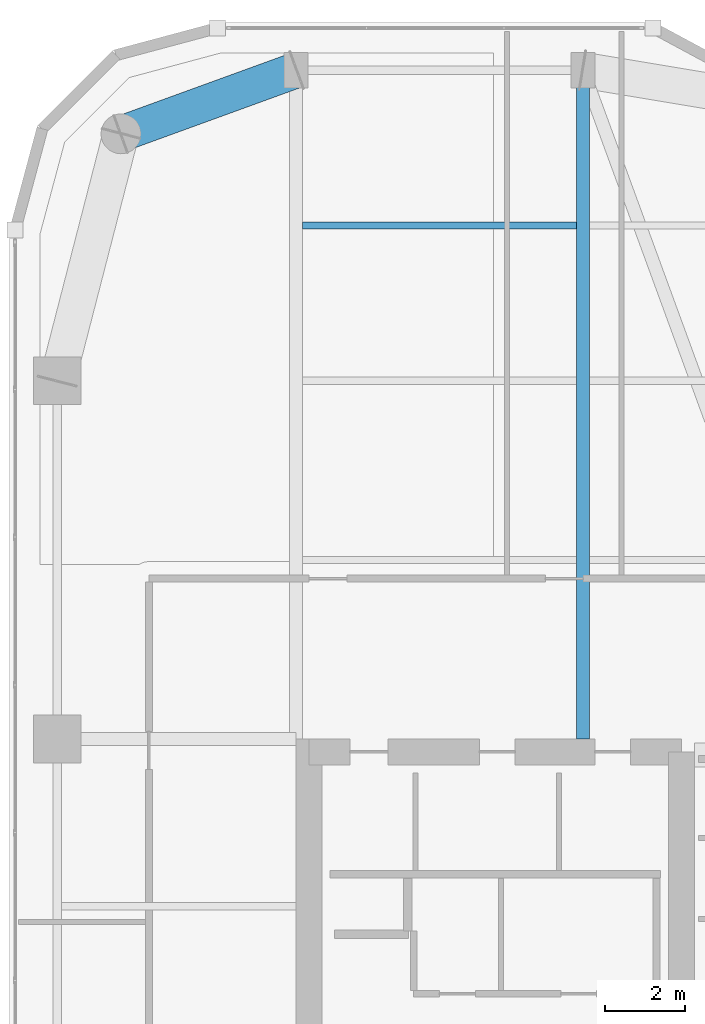
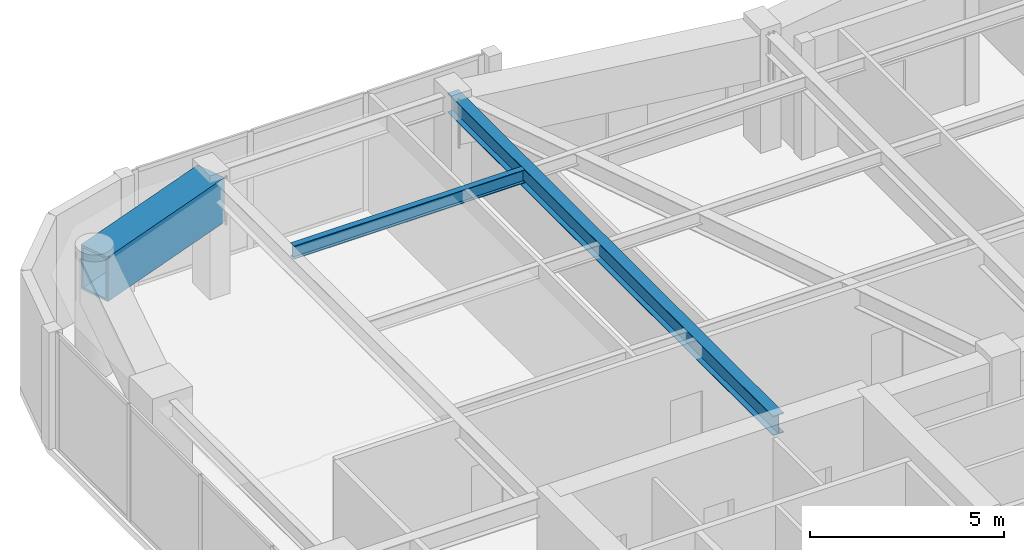
# One storey, part 9 of 21: 3 beams.
"""IFC4 building model written with IfcOpenShell, lengths in metres."""

import ifcopenshell
import ifcopenshell.guid

model = None  # the IFC model being written
_history = None  # IfcOwnerHistory: only IFC2X3 demands one
_inside = {}  # id of a spatial element -> (the spatial element, [elements in it])
_under = {}  # id of a project, library or spatial element -> (it, [spatial elements below it])
_declared = {}  # id of a project -> (the project, [libraries it declares])
_typed = {}  # id of a type object -> (the type object, [elements of that type])
_made_of = {}  # id of a material, layer set ... -> (it, [elements and type objects made of it])


def new_model(schema):
    """Start an empty IFC model of exactly this schema.

    Asked for "IFC4X3", IfcOpenShell would pick the latest addendum, in which some entities
    have other attributes; the version numbers below select the first issue.
    IFC2X3 requires an IfcOwnerHistory on every rooted entity: one is made here for all.
    """
    global model, _history
    if schema == "IFC4X3":
        model = ifcopenshell.file(schema_version=(4, 3, 0, 0))
    else:
        model = ifcopenshell.file(schema=schema)
    _inside.clear()
    _under.clear()
    _declared.clear()
    _typed.clear()
    _made_of.clear()
    _history = None
    if model.schema == "IFC2X3":
        org = make("IfcOrganization", Name="unknown")
        user = make(
            "IfcPersonAndOrganization",
            ThePerson=make("IfcPerson", FamilyName="unknown"),
            TheOrganization=org,
        )
        app = make(
            "IfcApplication",
            ApplicationDeveloper=org,
            Version="unknown",
            ApplicationFullName="unknown",
            ApplicationIdentifier="unknown",
        )
        _history = make(
            "IfcOwnerHistory",
            OwningUser=user,
            OwningApplication=app,
            ChangeAction="ADDED",
            CreationDate=0,
        )
    return model


def make(cls, **values):
    """One entity of the class cls with the attributes given. An attribute that is None is left unset."""
    return model.create_entity(
        cls, **{name: value for name, value in values.items() if value is not None}
    )


def rooted(cls, **values):
    """An entity with a GlobalId (a new one), such as an element, a storey or a relation."""
    return make(cls, GlobalId=ifcopenshell.guid.new(), OwnerHistory=_history, **values)


def si_unit(unit_type, name, prefix=None):
    """IfcSIUnit, for example si_unit("LENGTHUNIT", "METRE", prefix="MILLI")."""
    return make("IfcSIUnit", UnitType=unit_type, Prefix=prefix, Name=name)


def assignment(units):
    """IfcUnitAssignment: the units of a project."""
    return None if units is None else make("IfcUnitAssignment", Units=units)


def point(xyz):
    """IfcCartesianPoint."""
    return None if xyz is None else make("IfcCartesianPoint", Coordinates=xyz)


def direction(xyz):
    """IfcDirection."""
    return None if xyz is None else make("IfcDirection", DirectionRatios=xyz)


def frame(location, z_axis=None, x_axis=None):
    """IfcAxis2Placement3D, a coordinate frame: its origin and axes. An axis left out is left unset."""
    return make(
        "IfcAxis2Placement3D",
        Location=point(location),
        Axis=direction(z_axis),
        RefDirection=direction(x_axis),
    )


def frame_2d(location, x_axis=None):
    """IfcAxis2Placement2D, a coordinate frame in the plane: its origin and x axis."""
    return make(
        "IfcAxis2Placement2D", Location=point(location), RefDirection=direction(x_axis)
    )


def origin():
    """The frame at (0, 0, 0) with its axes left unset."""
    return frame((0.0, 0.0, 0.0))


def origin_2d():
    """The frame at (0, 0) in the plane with its x axis left unset."""
    return frame_2d((0.0, 0.0))


def place(relative_to, where):
    """IfcLocalPlacement: puts the frame where relative to a parent placement (None: the world)."""
    return make(
        "IfcLocalPlacement", PlacementRelTo=relative_to, RelativePlacement=where
    )


def context(
    kind, dimensions, precision=None, world=None, true_north=None, identifier=None
):
    """IfcGeometricRepresentationContext, for example the 3D "Model" context."""
    return make(
        "IfcGeometricRepresentationContext",
        ContextIdentifier=identifier,
        ContextType=kind,
        CoordinateSpaceDimension=dimensions,
        Precision=precision,
        WorldCoordinateSystem=world,
        TrueNorth=true_north,
    )


def subcontext(parent, identifier, kind, view, scale=None):
    """IfcGeometricRepresentationSubContext, for example "Body" below "Model"."""
    return make(
        "IfcGeometricRepresentationSubContext",
        ContextIdentifier=identifier,
        ContextType=kind,
        ParentContext=parent,
        TargetScale=scale,
        TargetView=view,
    )


def project(units=None, contexts=None):
    """IfcProject with its units and contexts."""
    return rooted(
        "IfcProject",
        Name="project",
        RepresentationContexts=contexts,
        UnitsInContext=assignment(units),
    )


def spatial(cls, under=None, at=None, **own):
    """A site, building, storey or space (cls), placed at a placement, below another one or the project."""
    s = rooted(cls, ObjectPlacement=at, **own)
    if under is not None:
        _under.setdefault(under.id(), (under, []))[1].append(s)
    return s


def profile(cls, at=None, kind="AREA", **sizes):
    """A parametric profile (cls). Its sizes go by their IFC names, for example OverallWidth=200.0."""
    return make(cls, ProfileType=kind, Position=at, **sizes)


def hollow_rectangle(**sizes):
    """IfcRectangleHollowProfileDef."""
    return profile("IfcRectangleHollowProfileDef", **sizes)


def i_section(**sizes):
    """IfcIShapeProfileDef."""
    return profile("IfcIShapeProfileDef", **sizes)


def extrude(swept, where, along, depth):
    """IfcExtrudedAreaSolid: the profile swept, set in the frame where, extruded along a direction by depth."""
    return make(
        "IfcExtrudedAreaSolid",
        SweptArea=swept,
        Position=where,
        ExtrudedDirection=direction(along),
        Depth=depth,
    )


def shape(context_of_items, identifier, shape_type, items):
    """IfcShapeRepresentation: the items that make up one representation, for example the "Body"."""
    return make(
        "IfcShapeRepresentation",
        ContextOfItems=context_of_items,
        RepresentationIdentifier=identifier,
        RepresentationType=shape_type,
        Items=items,
    )


def material(Name=None, Category=None):
    """IfcMaterial."""
    return make("IfcMaterial", Name=Name, Category=Category)


def material_profile(
    of_material, cross_section, Name=None, Category=None, Priority=None
):
    """IfcMaterialProfile: a cross section and its material."""
    return make(
        "IfcMaterialProfile",
        Name=Name,
        Material=of_material,
        Profile=cross_section,
        Priority=Priority,
        Category=Category,
    )


def profile_set(profiles, Name=None, composite=None):
    """IfcMaterialProfileSet."""
    return make(
        "IfcMaterialProfileSet",
        Name=Name,
        MaterialProfiles=profiles,
        CompositeProfile=composite,
    )


def made_of(thing, what):
    """Note that an element or type object is made of a material, layer set ...; save() writes the relation."""
    if what is not None:
        _made_of.setdefault(what.id(), (what, []))[1].append(thing)
    return thing


def type_object(cls, material=None, **own):
    """A type object (cls), such as IfcWallType, which elements share."""
    return made_of(rooted(cls, **own), material)


def element(
    cls,
    number,
    at=None,
    inside=None,
    cuts=None,
    type_object=None,
    material=None,
    context=None,
    identifier="Body",
    shape_type=None,
    held_by="IfcProductDefinitionShape",
    body=None,
    shapes=None,
    **own,
):
    """One element of the class cls, such as IfcWall. Its Tag is "e" and its number.

    at: its placement. inside: the storey or other place that contains it. cuts: it is an
    opening in that element (IfcRelVoidsElement). A single representation is given by context,
    identifier, shape_type and body (its items); several are given by shapes. held_by: the class
    of the entity that holds the representations. save() writes the other relations.
    """
    e = rooted(cls, Tag="e%d" % number, ObjectPlacement=at, **own)
    if body is not None:
        shapes = [shape(context, identifier, shape_type, body)]
    if shapes is not None:
        e.Representation = make(held_by, Representations=shapes)
    if inside is not None:
        _inside.setdefault(inside.id(), (inside, []))[1].append(e)
    if cuts is not None:
        rooted(
            "IfcRelVoidsElement", RelatingBuildingElement=cuts, RelatedOpeningElement=e
        )
    if type_object is not None:
        _typed.setdefault(type_object.id(), (type_object, []))[1].append(e)
    return made_of(e, material)


def aggregate(whole, parts):
    """IfcRelAggregates: a whole, such as a stair, and the parts it consists of."""
    return rooted("IfcRelAggregates", RelatingObject=whole, RelatedObjects=parts)


def save(model, path):
    """Write the relations noted so far, then the file.

    IfcRelAggregates (storeys below a building ...), IfcRelContainedInSpatialStructure (elements
    in a storey), IfcRelDefinesByType, IfcRelAssociatesMaterial and IfcRelDeclares: one each for
    every whole, place, type object, material and project.
    """
    for whole, parts in _under.values():
        aggregate(whole, parts)
    for where, things in _inside.values():
        rooted(
            "IfcRelContainedInSpatialStructure",
            RelatedElements=things,
            RelatingStructure=where,
        )
    for kind, things in _typed.values():
        rooted("IfcRelDefinesByType", RelatedObjects=things, RelatingType=kind)
    for what, things in _made_of.values():
        rooted("IfcRelAssociatesMaterial", RelatedObjects=things, RelatingMaterial=what)
    for by, libraries in _declared.values():
        rooted("IfcRelDeclares", RelatingContext=by, RelatedDefinitions=libraries)
    model.write(path)


model = new_model("IFC4")

# Units and contexts
model_context = context("Model", 3, precision=1e-05, world=origin(), true_north=direction((0.0, 1.0)))
body_context = subcontext(model_context, "Body", "Model", "MODEL_VIEW")
ifc_project = project(units=[si_unit("LENGTHUNIT", "METRE"), si_unit("AREAUNIT", "SQUARE_METRE"), si_unit("VOLUMEUNIT", "CUBIC_METRE"), si_unit("PLANEANGLEUNIT", "RADIAN"), si_unit("MASSUNIT", "GRAM", prefix="KILO")], contexts=[model_context])

# Site, building, storey
site_placement = place(None, origin())
site = spatial("IfcSite", under=ifc_project, at=site_placement, CompositionType="ELEMENT")
building_placement = place(site_placement, origin())
building = spatial("IfcBuilding", under=site, at=building_placement, Name="Kiyonajd Concourse Tower", CompositionType="ELEMENT")
storey_placement = place(building_placement, frame((0.0, 0.0, 227.10009765625)))
storey = spatial("IfcBuildingStorey", under=building, at=storey_placement, Name="L57", CompositionType="ELEMENT", Elevation=227.10009765625)

# Beams
ifc_material_1 = material(Name="Steel ASTM A992 Grade 50", Category="steel")
ifc_material_profile_1 = material_profile(ifc_material_1, i_section(OverallWidth=0.180908203125, OverallDepth=0.4169921875, WebThickness=0.010986328125, FlangeThickness=0.018310546875, at=origin_2d()), Name="W410X85")
ifc_profile_set_1 = profile_set([ifc_material_profile_1], Name="Steel ASTM A992 Grade 50")
beam_type_1 = type_object("IfcBeamType", Name="BM-JST-410", PredefinedType="JOIST", material=ifc_profile_set_1)
beam_1_placement = place(storey_placement, frame((32.56201171875, 57.300048828125, 3.471435546875), z_axis=(1.0, 0.0, 0.0), x_axis=(0.0, 1.0, 0.0)))
element("IfcBeam", 1, at=beam_1_placement, inside=storey, type_object=beam_type_1, Name="L57 Secondary Floor Joist", PredefinedType="JOIST", context=body_context, shape_type="SweptSolid", body=[
    extrude(i_section(OverallWidth=0.180908203125, OverallDepth=0.4169921875, WebThickness=0.010986328125, FlangeThickness=0.018310546875, at=origin_2d()), origin(), (0.0, 0.0, 1.0), 6.8759765625),
])
ifc_material_profile_2 = material_profile(ifc_material_1, i_section(OverallWidth=0.323974609375, OverallDepth=0.611083984375, WebThickness=0.0126953125, FlangeThickness=0.01904296875, at=origin_2d()), Name="W610X155")
ifc_profile_set_2 = profile_set([ifc_material_profile_2], Name="Steel ASTM A992 Grade 50")
beam_type_2 = type_object("IfcBeamType", Name="BM-TWR-610B", PredefinedType="BEAM", material=ifc_profile_set_2)
beam_2_placement = place(storey_placement, frame((39.60009765625, 44.39990234375, 3.37451171875), z_axis=(0.0, 1.0, 0.0), x_axis=(-1.0, 0.0, 0.0)))
element("IfcBeam", 2, at=beam_2_placement, inside=storey, type_object=beam_type_2, Name="L57 North Lease Girder", PredefinedType="BEAM", context=body_context, shape_type="SweptSolid", body=[
    extrude(i_section(OverallWidth=0.323974609375, OverallDepth=0.611083984375, WebThickness=0.0126953125, FlangeThickness=0.01904296875, at=origin_2d()), origin(), (0.0, 0.0, 1.0), 16.800048828125),
])
ifc_material_2 = material(Name="Steel ASTM A572 Grade 50", Category="steel")
ifc_material_profile_3 = material_profile(ifc_material_2, hollow_rectangle(XDim=0.89990234375, YDim=1.39990234375, WallThickness=0.070068359375, at=origin_2d()), Name="BOX-1400x900x70")
ifc_profile_set_3 = profile_set([ifc_material_profile_3], Name="Steel ASTM A572 Grade 50")
beam_type_3 = type_object("IfcBeamType", Name="BM-XFER-1400", PredefinedType="BEAM", material=ifc_profile_set_3)
beam_3_placement = place(storey_placement, frame((32.39990234375, 61.199951171875, 2.97998046875), z_axis=(-0.939801036019, -0.341722127901, 0.0), x_axis=(0.341722127901, -0.939801036019, 0.0)))
element("IfcBeam", 3, at=beam_3_placement, inside=storey, type_object=beam_type_3, Name="L57 Perimeter Bundled Tube Spandrel", PredefinedType="BEAM", context=body_context, shape_type="SweptSolid", body=[
    extrude(hollow_rectangle(XDim=0.89990234375, YDim=1.39990234375, WallThickness=0.070068359375, at=origin_2d()), origin(), (0.0, 0.0, 1.0), 4.681640625),
])

save(model, "model.ifc")
